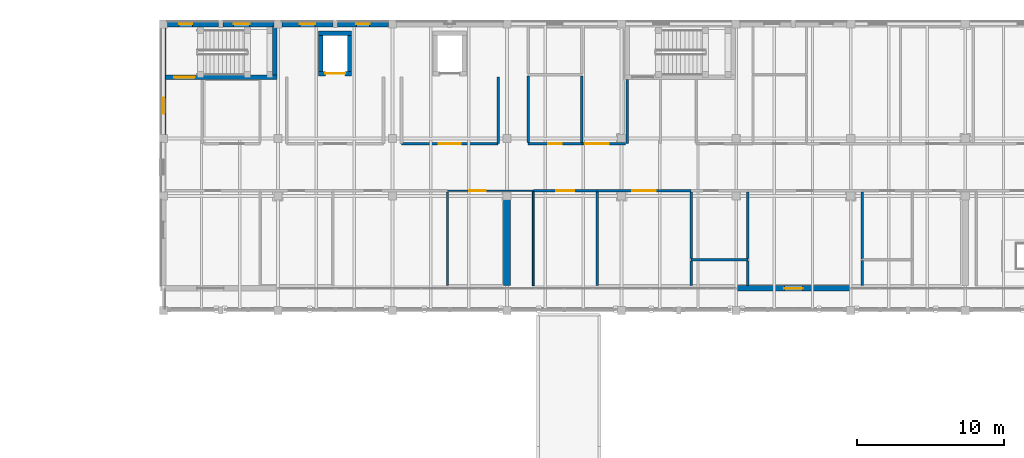
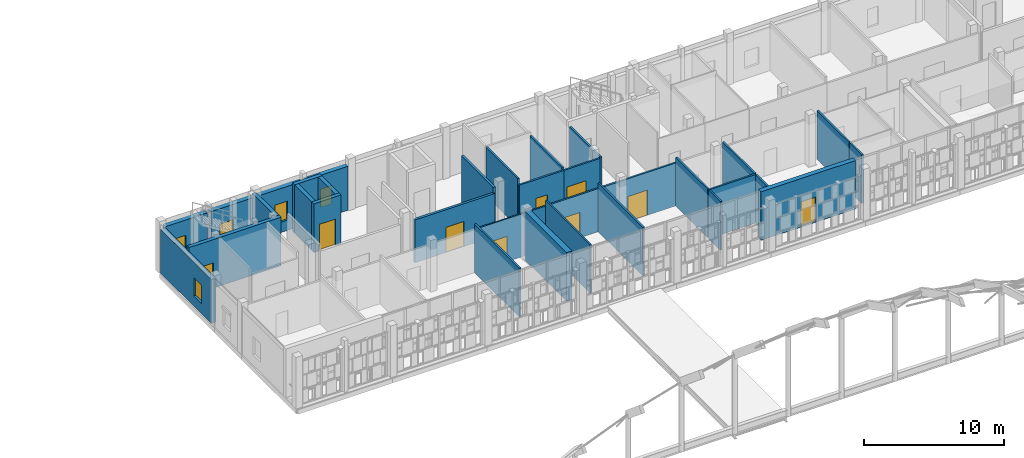
# One storey, part 97 of 119: 33 walls, 9 doors, 5 windows, 14 openings.
"""IFC4 building model written with IfcOpenShell, lengths in metres."""

from ifc_helpers import new_model, si_unit, direction, frame, frame_2d, origin, place, context, subcontext, project, spatial, rectangle, extrude, material, layer, layer_set, type_object, element, fill, save


model = new_model("IFC4")

# Units and contexts
model_context = context("Model", 3, precision=1e-05, world=origin(), true_north=direction((0.0, 1.0)))
body_context = subcontext(model_context, "Body", "Model", "MODEL_VIEW")
ifc_project = project(units=[si_unit("LENGTHUNIT", "METRE"), si_unit("AREAUNIT", "SQUARE_METRE"), si_unit("VOLUMEUNIT", "CUBIC_METRE"), si_unit("PLANEANGLEUNIT", "RADIAN"), si_unit("MASSUNIT", "GRAM", prefix="KILO")], contexts=[model_context])

# Site, building, storey
site_placement = place(None, origin())
site = spatial("IfcSite", under=ifc_project, at=site_placement, CompositionType="ELEMENT")
building_placement = place(site_placement, origin())
building = spatial("IfcBuilding", under=site, at=building_placement, Name="Celorna Specialist Clinic", CompositionType="ELEMENT")
storey_placement = place(building_placement, frame((0.0, 0.0, 9.60009765625)))
storey = spatial("IfcBuildingStorey", under=building, at=storey_placement, Name="L02", CompositionType="ELEMENT", Elevation=9.60009765625)

# Wall
ifc_material_1 = material(Name="Concrete C40/50", Category="concrete")
ifc_layer_1 = layer(ifc_material_1, 0.449951171875, Name="Concrete C40/50")
ifc_layer_set_1 = layer_set([ifc_layer_1], Name="Concrete C40/50")
wall_type_1 = type_object("IfcWallType", Name="WT-04", PredefinedType="SHEAR", material=ifc_layer_set_1)
wall_1_placement = place(storey_placement, frame((70.199951171875, 98.18994140625, 0.0), z_axis=(0.0, 0.0, 1.0), x_axis=(0.0, 1.0, 0.0)))
element("IfcWall", 1, at=wall_1_placement, inside=storey, type_object=wall_type_1, Name="Structural RC shear wall WT-04 V4 L02", PredefinedType="SHEAR", context=body_context, shape_type="SweptSolid", body=[
    extrude(rectangle(XDim=5.9599609375, YDim=0.449951171875, at=frame_2d((2.97998046875, 0.0))), origin(), (0.0, 0.0, 1.0), 4.239990234375),
])

# Wall, opening, door
ifc_material_2 = material(Name="Terracotta masonry with insulated cavity", Category="masonry")
ifc_layer_2 = layer(ifc_material_2, 0.3798828125, Name="Terracotta masonry with insulated cavity")
ifc_layer_set_2 = layer_set([ifc_layer_2], Name="Terracotta masonry with insulated cavity")
wall_type_2 = type_object("IfcWallType", Name="WT-06", PredefinedType="STANDARD", material=ifc_layer_set_2)
wall_2_placement = place(storey_placement, frame((93.60009765625, 98.0, 0.0), z_axis=(0.0, 0.0, 1.0), x_axis=(-1.0, 0.0, 0.0)))
wall_2 = element("IfcWall", 2, at=wall_2_placement, inside=storey, type_object=wall_type_2, Name="External facade wall WT-06 #231", PredefinedType="STANDARD", context=body_context, shape_type="SweptSolid", body=[
    extrude(rectangle(XDim=7.800048828125, YDim=0.3798828125, at=frame_2d((3.89990234375, 0.0))), origin(), (0.0, 0.0, 1.0), 4.239990234375),
])
opening_1_placement = place(wall_2_placement, frame((3.27490234375, 0.0, 0.0)))
opening_1 = element("IfcOpeningElement", 3, at=opening_1_placement, cuts=wall_2, Name="Opening DR-13", PredefinedType="OPENING", context=body_context, shape_type="SweptSolid", body=[
    extrude(rectangle(XDim=1.25, YDim=2.199951171875, at=frame_2d((0.625, 1.10009765625))), frame((0.0, 0.199951171875, 0.0), z_axis=(0.0, -1.0, 0.0), x_axis=(1.0, 0.0, 0.0)), (0.0, 0.0, 1.0), 0.39990234375),
])
ifc_material_3 = material(Name="Thermally broken glazed terrace door")
door_type_1 = type_object("IfcDoorType", Name="DR-13", OperationType="NOTDEFINED", PredefinedType="DOOR", material=ifc_material_3)
door_1_placement = place(opening_1_placement, frame((1.25, 0.0, 0.0), z_axis=(0.0, 0.0, 1.0), x_axis=(-1.0, 0.0, 0.0)))
door_1 = element("IfcDoor", 4, at=door_1_placement, inside=storey, type_object=door_type_1, Name="Terrace access door TER-V4-VER-L02", OperationType="SINGLE_SWING_LEFT", OverallHeight=2.199951171875, OverallWidth=1.25, PredefinedType="DOOR", context=body_context, shape_type="SweptSolid", body=[
    extrude(rectangle(XDim=1.25, YDim=2.199951171875, at=frame_2d((0.625, 1.10009765625))), frame((0.0, 0.02490234375, 0.0), z_axis=(0.0, -1.0, 0.0), x_axis=(1.0, 0.0, 0.0)), (0.0, 0.0, 1.0), 0.050048828125),
])
fill(opening_1, door_1)

# Wall, opening, window
wall_3_placement = place(storey_placement, frame((47.074951171875, 116.0, 0.0), z_axis=(0.0, 0.0, 1.0), x_axis=(1.0, 0.0, 0.0)))
wall_3 = element("IfcWall", 5, at=wall_3_placement, inside=storey, type_object=wall_type_2, Name="External facade wall WT-06 #233", PredefinedType="STANDARD", context=body_context, shape_type="SweptSolid", body=[
    extrude(rectangle(XDim=3.47509765625, YDim=0.3798828125, at=frame_2d((1.737548828125, 0.0))), origin(), (0.0, 0.0, 1.0), 3.83984375),
])
opening_2_placement = place(wall_3_placement, frame((0.802490234375, 0.0, 0.89990234375)))
opening_2 = element("IfcOpeningElement", 6, at=opening_2_placement, cuts=wall_3, Name="Opening WN-01", PredefinedType="OPENING", context=body_context, shape_type="SweptSolid", body=[
    extrude(rectangle(XDim=0.89990234375, YDim=1.60009765625, at=frame_2d((0.449951171875, 0.800048828125))), frame((0.0, 0.199951171875, 0.0), z_axis=(0.0, -1.0, 0.0), x_axis=(1.0, 0.0, 0.0)), (0.0, 0.0, 1.0), 0.39990234375),
])
ifc_material_4 = material(Name="Thermally broken aluminium triple-glazed window", Category="aluminium")
window_type_1 = type_object("IfcWindowType", Name="WN-01", PartitioningType="SINGLE_PANEL", PredefinedType="WINDOW", material=ifc_material_4)
window_1_placement = place(opening_2_placement, origin())
window_1 = element("IfcWindow", 7, at=window_1_placement, inside=storey, type_object=window_type_1, Name="Facade window WN-01 #114", OverallHeight=1.60009765625, OverallWidth=0.89990234375, PartitioningType="SINGLE_PANEL", PredefinedType="WINDOW", context=body_context, shape_type="SweptSolid", body=[
    extrude(rectangle(XDim=0.89990234375, YDim=1.60009765625, at=frame_2d((0.449951171875, 0.800048828125))), frame((0.0, 0.030029296875, 0.0), z_axis=(0.0, -1.0, 0.0), x_axis=(1.0, 0.0, 0.0)), (0.0, 0.0, 1.0), 0.06005859375),
])
fill(opening_2, window_1)

wall_4_placement = place(storey_placement, frame((50.85009765625, 116.0, 0.0), z_axis=(0.0, 0.0, 1.0), x_axis=(1.0, 0.0, 0.0)))
wall_4 = element("IfcWall", 8, at=wall_4_placement, inside=storey, type_object=wall_type_2, Name="External facade wall WT-06 #234", PredefinedType="STANDARD", context=body_context, shape_type="SweptSolid", body=[
    extrude(rectangle(XDim=3.474853515625, YDim=0.3798828125, at=frame_2d((1.7373046875, 0.0))), origin(), (0.0, 0.0, 1.0), 3.83984375),
])
opening_3_placement = place(wall_4_placement, frame((0.72998046875, 0.0, 0.89990234375)))
opening_3 = element("IfcOpeningElement", 9, at=opening_3_placement, cuts=wall_4, Name="Opening WN-03", PredefinedType="OPENING", context=body_context, shape_type="SweptSolid", body=[
    extrude(rectangle(XDim=1.10009765625, YDim=1.60009765625, at=frame_2d((0.550048828125, 0.800048828125))), frame((0.0, 0.199951171875, 0.0), z_axis=(0.0, -1.0, 0.0), x_axis=(1.0, 0.0, 0.0)), (0.0, 0.0, 1.0), 0.39990234375),
])
window_type_2 = type_object("IfcWindowType", Name="WN-03", PartitioningType="SINGLE_PANEL", PredefinedType="WINDOW", material=ifc_material_4)
window_2_placement = place(opening_3_placement, origin())
window_2 = element("IfcWindow", 10, at=window_2_placement, inside=storey, type_object=window_type_2, Name="Facade window WN-03 #115", OverallHeight=1.60009765625, OverallWidth=1.10009765625, PartitioningType="SINGLE_PANEL", PredefinedType="WINDOW", context=body_context, shape_type="SweptSolid", body=[
    extrude(rectangle(XDim=1.10009765625, YDim=1.60009765625, at=frame_2d((0.550048828125, 0.800048828125))), frame((0.0, 0.030029296875, 0.0), z_axis=(0.0, -1.0, 0.0), x_axis=(1.0, 0.0, 0.0)), (0.0, 0.0, 1.0), 0.06005859375),
])
fill(opening_3, window_2)

wall_5_placement = place(storey_placement, frame((54.875, 116.0, 0.0), z_axis=(0.0, 0.0, 1.0), x_axis=(1.0, 0.0, 0.0)))
wall_5 = element("IfcWall", 11, at=wall_5_placement, inside=storey, type_object=wall_type_2, Name="External facade wall WT-06 #235", PredefinedType="STANDARD", context=body_context, shape_type="SweptSolid", body=[
    extrude(rectangle(XDim=3.47509765625, YDim=0.3798828125, at=frame_2d((1.737548828125, 0.0))), origin(), (0.0, 0.0, 1.0), 3.83984375),
])
opening_4_placement = place(wall_5_placement, frame((1.21240234375, 0.0, 0.89990234375)))
opening_4 = element("IfcOpeningElement", 12, at=opening_4_placement, cuts=wall_5, Name="Opening WN-21", PredefinedType="OPENING", context=body_context, shape_type="SweptSolid", body=[
    extrude(rectangle(XDim=1.050048828125, YDim=1.64990234375, at=frame_2d((0.52490234375, 0.824951171875))), frame((0.0, 0.199951171875, 0.0), z_axis=(0.0, -1.0, 0.0), x_axis=(1.0, 0.0, 0.0)), (0.0, 0.0, 1.0), 0.39990234375),
])
window_type_3 = type_object("IfcWindowType", Name="WN-21", PartitioningType="SINGLE_PANEL", PredefinedType="WINDOW", material=ifc_material_4)
window_3_placement = place(opening_4_placement, origin())
window_3 = element("IfcWindow", 13, at=window_3_placement, inside=storey, type_object=window_type_3, Name="Facade window WN-21 #116", OverallHeight=1.64990234375, OverallWidth=1.050048828125, PartitioningType="SINGLE_PANEL", PredefinedType="WINDOW", context=body_context, shape_type="SweptSolid", body=[
    extrude(rectangle(XDim=1.050048828125, YDim=1.64990234375, at=frame_2d((0.52490234375, 0.824951171875))), frame((0.0, 0.030029296875, 0.0), z_axis=(0.0, -1.0, 0.0), x_axis=(1.0, 0.0, 0.0)), (0.0, 0.0, 1.0), 0.06005859375),
])
fill(opening_4, window_3)

wall_6_placement = place(storey_placement, frame((58.64990234375, 116.0, 0.0), z_axis=(0.0, 0.0, 1.0), x_axis=(1.0, 0.0, 0.0)))
wall_6 = element("IfcWall", 14, at=wall_6_placement, inside=storey, type_object=wall_type_2, Name="External facade wall WT-06 #236", PredefinedType="STANDARD", context=body_context, shape_type="SweptSolid", body=[
    extrude(rectangle(XDim=3.47509765625, YDim=0.3798828125, at=frame_2d((1.737548828125, 0.0))), origin(), (0.0, 0.0, 1.0), 3.83984375),
])
opening_5_placement = place(wall_6_placement, frame((1.28759765625, 0.0, 0.89990234375)))
opening_5 = element("IfcOpeningElement", 15, at=opening_5_placement, cuts=wall_6, Name="Opening WN-01", PredefinedType="OPENING", context=body_context, shape_type="SweptSolid", body=[
    extrude(rectangle(XDim=0.89990234375, YDim=1.60009765625, at=frame_2d((0.449951171875, 0.800048828125))), frame((0.0, 0.199951171875, 0.0), z_axis=(0.0, -1.0, 0.0), x_axis=(1.0, 0.0, 0.0)), (0.0, 0.0, 1.0), 0.39990234375),
])
window_4_placement = place(opening_5_placement, origin())
window_4 = element("IfcWindow", 16, at=window_4_placement, inside=storey, type_object=window_type_1, Name="Facade window WN-01 #117", OverallHeight=1.60009765625, OverallWidth=0.89990234375, PartitioningType="SINGLE_PANEL", PredefinedType="WINDOW", context=body_context, shape_type="SweptSolid", body=[
    extrude(rectangle(XDim=0.89990234375, YDim=1.60009765625, at=frame_2d((0.449951171875, 0.800048828125))), frame((0.0, 0.030029296875, 0.0), z_axis=(0.0, -1.0, 0.0), x_axis=(1.0, 0.0, 0.0)), (0.0, 0.0, 1.0), 0.06005859375),
])
fill(opening_5, window_4)

wall_7_placement = place(storey_placement, frame((46.800048828125, 108.47509765625, 0.0), z_axis=(0.0, 0.0, 1.0), x_axis=(0.0, 1.0, 0.0)))
wall_7 = element("IfcWall", 17, at=wall_7_placement, inside=storey, type_object=wall_type_2, Name="External facade wall WT-06 #250", PredefinedType="STANDARD", context=body_context, shape_type="SweptSolid", body=[
    extrude(rectangle(XDim=7.25, YDim=0.3798828125, at=frame_2d((3.625, 0.0))), origin(), (0.0, 0.0, 1.0), 3.83984375),
])
opening_6_placement = place(wall_7_placement, frame((1.407470703125, 0.0, 0.89990234375)))
opening_6 = element("IfcOpeningElement", 18, at=opening_6_placement, cuts=wall_7, Name="Opening WN-03", PredefinedType="OPENING", context=body_context, shape_type="SweptSolid", body=[
    extrude(rectangle(XDim=1.10009765625, YDim=1.60009765625, at=frame_2d((0.550048828125, 0.800048828125))), frame((0.0, 0.199951171875, 0.0), z_axis=(0.0, -1.0, 0.0), x_axis=(1.0, 0.0, 0.0)), (0.0, 0.0, 1.0), 0.39990234375),
])
window_5_placement = place(opening_6_placement, origin())
window_5 = element("IfcWindow", 19, at=window_5_placement, inside=storey, type_object=window_type_2, Name="Facade window WN-03 #129", OverallHeight=1.60009765625, OverallWidth=1.10009765625, PartitioningType="SINGLE_PANEL", PredefinedType="WINDOW", context=body_context, shape_type="SweptSolid", body=[
    extrude(rectangle(XDim=1.10009765625, YDim=1.60009765625, at=frame_2d((0.550048828125, 0.800048828125))), frame((0.0, 0.030029296875, 0.0), z_axis=(0.0, -1.0, 0.0), x_axis=(1.0, 0.0, 0.0)), (0.0, 0.0, 1.0), 0.06005859375),
])
fill(opening_6, window_5)

# Wall, opening, door
ifc_material_5 = material(Name="Concrete C35/45", Category="concrete")
ifc_layer_3 = layer(ifc_material_5, 0.300048828125, Name="Concrete C35/45")
ifc_layer_set_3 = layer_set([ifc_layer_3], Name="Concrete C35/45")
wall_type_3 = type_object("IfcWallType", Name="WT-08", PredefinedType="SHEAR", material=ifc_layer_set_3)
wall_8_placement = place(storey_placement, frame((46.949951171875, 112.3701171875, 0.0), z_axis=(0.0, 0.0, 1.0), x_axis=(1.0, 0.0, 0.0)))
wall_8 = element("IfcWall", 20, at=wall_8_placement, inside=storey, type_object=wall_type_3, Name="Stair ST-01 RC core wall L02 south", PredefinedType="SHEAR", context=body_context, shape_type="SweptSolid", body=[
    extrude(rectangle(XDim=7.590087890625, YDim=0.300048828125, at=frame_2d((3.794921875, 0.0))), origin(), (0.0, 0.0, 1.0), 4.239990234375),
])
opening_7_placement = place(wall_8_placement, frame((0.590087890625, 0.0, 0.0)))
opening_7 = element("IfcOpeningElement", 21, at=opening_7_placement, cuts=wall_8, Name="Opening DR-10", PredefinedType="OPENING", context=body_context, shape_type="SweptSolid", body=[
    extrude(rectangle(XDim=1.39990234375, YDim=2.199951171875, at=frame_2d((0.699951171875, 1.10009765625))), frame((0.0, 0.159912109375, 0.0), z_axis=(0.0, -1.0, 0.0), x_axis=(1.0, 0.0, 0.0)), (0.0, 0.0, 1.0), 0.320068359375),
])
ifc_material_6 = material(Name="Protected exit stair fire door")
door_type_2 = type_object("IfcDoorType", Name="DR-10", OperationType="NOTDEFINED", PredefinedType="DOOR", material=ifc_material_6)
door_2_placement = place(opening_7_placement, origin())
door_2 = element("IfcDoor", 22, at=door_2_placement, inside=storey, type_object=door_type_2, Name="Protected exit stair door ST-01 L02", OperationType="SINGLE_SWING_LEFT", OverallHeight=2.199951171875, OverallWidth=1.39990234375, PredefinedType="DOOR", context=body_context, shape_type="SweptSolid", body=[
    extrude(rectangle(XDim=1.39990234375, YDim=2.199951171875, at=frame_2d((0.699951171875, 1.10009765625))), frame((0.0, 0.02490234375, 0.0), z_axis=(0.0, -1.0, 0.0), x_axis=(1.0, 0.0, 0.0)), (0.0, 0.0, 1.0), 0.050048828125),
])
fill(opening_7, door_2)

# Wall
wall_9_placement = place(storey_placement, frame((54.389892578125, 112.52001953125, 0.0), z_axis=(0.0, 0.0, 1.0), x_axis=(0.0, 1.0, 0.0)))
element("IfcWall", 23, at=wall_9_placement, inside=storey, type_object=wall_type_3, Name="Stair ST-01 RC core wall L02 east", PredefinedType="SHEAR", context=body_context, shape_type="SweptSolid", body=[
    extrude(rectangle(XDim=3.330078125, YDim=0.300048828125, at=frame_2d((1.6650390625, 0.0))), origin(), (0.0, 0.0, 1.0), 4.239990234375),
])

# Wall, opening, door
wall_10_placement = place(storey_placement, frame((57.375, 112.625, 0.0), z_axis=(0.0, 0.0, 1.0), x_axis=(1.0, 0.0, 0.0)))
wall_10 = element("IfcWall", 24, at=wall_10_placement, inside=storey, type_object=wall_type_3, Name="Lift LF-01 RC shaft wall L02", PredefinedType="SHEAR", context=body_context, shape_type="SweptSolid", body=[
    extrude(rectangle(XDim=2.25, YDim=0.300048828125, at=frame_2d((1.125, 0.0))), origin(), (0.0, 0.0, 1.0), 4.239990234375),
])
opening_8_placement = place(wall_10_placement, frame((0.449951171875, 0.0, 0.0)))
opening_8 = element("IfcOpeningElement", 25, at=opening_8_placement, cuts=wall_10, Name="Opening LD-02", PredefinedType="OPENING", context=body_context, shape_type="SweptSolid", body=[
    extrude(rectangle(XDim=1.35009765625, YDim=2.300048828125, at=frame_2d((0.675048828125, 1.14990234375))), frame((0.0, 0.159912109375, 0.0), z_axis=(0.0, -1.0, 0.0), x_axis=(1.0, 0.0, 0.0)), (0.0, 0.0, 1.0), 0.320068359375),
])
ifc_material_7 = material(Name="Firefighting stretcher lift landing sliding door")
door_type_3 = type_object("IfcDoorType", Name="LD-02", OperationType="DOUBLE_DOOR_SLIDING", PredefinedType="DOOR", material=ifc_material_7)
door_3_placement = place(opening_8_placement, origin())
door_3 = element("IfcDoor", 26, at=door_3_placement, inside=storey, type_object=door_type_3, Name="Lift LF-01 sliding landing door L02", OperationType="DOUBLE_DOOR_SLIDING", OverallHeight=2.300048828125, OverallWidth=1.35009765625, PredefinedType="DOOR", context=body_context, shape_type="SweptSolid", body=[
    extrude(rectangle(XDim=1.35009765625, YDim=2.300048828125, at=frame_2d((0.675048828125, 1.14990234375))), frame((0.0, 0.02490234375, 0.0), z_axis=(0.0, -1.0, 0.0), x_axis=(1.0, 0.0, 0.0)), (0.0, 0.0, 1.0), 0.050048828125),
])
fill(opening_8, door_3)

# Walls
wall_11_placement = place(storey_placement, frame((59.625, 115.375, 0.0), z_axis=(0.0, 0.0, 1.0), x_axis=(-1.0, 0.0, 0.0)))
element("IfcWall", 27, at=wall_11_placement, inside=storey, type_object=wall_type_3, Name="Lift LF-01 RC shaft wall L02", PredefinedType="SHEAR", context=body_context, shape_type="SweptSolid", body=[
    extrude(rectangle(XDim=2.25, YDim=0.300048828125, at=frame_2d((1.125, 0.0))), origin(), (0.0, 0.0, 1.0), 4.239990234375),
])
for number, where, z_axis, x_axis, name in (
    (28, (57.52490234375, 115.22509765625, 0.0), (0.0, 0.0, 1.0), (0.0, -1.0, 0.0), "Lift LF-01 RC shaft wall L02"),
    (29, (59.47509765625, 112.77490234375, 0.0), (0.0, 0.0, 1.0), (0.0, 1.0, 0.0), "Lift LF-01 RC shaft wall L02"),
):
    element("IfcWall", number, at=place(storey_placement, frame(where, z_axis=z_axis, x_axis=x_axis)), inside=storey, type_object=wall_type_3, Name=name, PredefinedType="SHEAR", context=body_context, shape_type="SweptSolid", body=[
        extrude(rectangle(XDim=2.4501953125, YDim=0.300048828125, at=frame_2d((1.22509765625, 0.0))), origin(), (0.0, 0.0, 1.0), 4.239990234375),
    ])

# Wall, opening, door
ifc_layer_4 = layer(ifc_material_5, 0.199951171875, Name="Concrete C35/45")
ifc_layer_set_4 = layer_set([ifc_layer_4], Name="Concrete C35/45")
wall_type_4 = type_object("IfcWallType", Name="WT-12", PredefinedType="SOLIDWALL", material=ifc_layer_set_4)
wall_12_placement = place(storey_placement, frame((63.0, 107.85009765625, 0.0), z_axis=(0.0, 0.0, 1.0), x_axis=(1.0, 0.0, 0.0)))
wall_12 = element("IfcWall", 30, at=wall_12_placement, inside=storey, type_object=wall_type_4, Name="Firefighting lobby wall LF-02 L02", PredefinedType="SOLIDWALL", context=body_context, shape_type="SweptSolid", body=[
    extrude(rectangle(XDim=6.60009765625, YDim=0.199951171875, at=frame_2d((3.300048828125, 0.0))), origin(), (0.0, 0.0, 1.0), 3.739990234375),
])
opening_9_placement = place(wall_12_placement, frame((2.550048828125, 0.0, 0.0)))
opening_9 = element("IfcOpeningElement", 31, at=opening_9_placement, cuts=wall_12, Name="Opening DR-11", PredefinedType="OPENING", context=body_context, shape_type="SweptSolid", body=[
    extrude(rectangle(XDim=1.5, YDim=2.199951171875, at=frame_2d((0.75, 1.10009765625))), frame((0.0, 0.10986328125, 0.0), z_axis=(0.0, -1.0, 0.0), x_axis=(1.0, 0.0, 0.0)), (0.0, 0.0, 1.0), 0.219970703125),
])
ifc_material_8 = material(Name="Firefighting lobby double fire door")
door_type_4 = type_object("IfcDoorType", Name="DR-11", OperationType="DOUBLE_DOOR_SINGLE_SWING", PredefinedType="DOOR", material=ifc_material_8)
door_4_placement = place(opening_9_placement, origin())
door_4 = element("IfcDoor", 32, at=door_4_placement, inside=storey, type_object=door_type_4, Name="Firefighting lobby fire door LF-02 L02", OperationType="DOUBLE_DOOR_SINGLE_SWING", OverallHeight=2.199951171875, OverallWidth=1.5, PredefinedType="DOOR", context=body_context, shape_type="SweptSolid", body=[
    extrude(rectangle(XDim=1.5, YDim=2.199951171875, at=frame_2d((0.75, 1.10009765625))), frame((0.0, 0.02490234375, 0.0), z_axis=(0.0, -1.0, 0.0), x_axis=(1.0, 0.0, 0.0)), (0.0, 0.0, 1.0), 0.050048828125),
])
fill(opening_9, door_4)

# Walls
wall_13_placement = place(storey_placement, frame((69.60009765625, 107.85009765625, 0.0), z_axis=(0.0, 0.0, 1.0), x_axis=(0.0, 1.0, 0.0)))
element("IfcWall", 33, at=wall_13_placement, inside=storey, type_object=wall_type_4, Name="Firefighting lobby wall LF-02 L02", PredefinedType="SOLIDWALL", context=body_context, shape_type="SweptSolid", body=[
    extrude(rectangle(XDim=4.5498046875, YDim=0.199951171875, at=frame_2d((2.27490234375, 0.0))), origin(), (0.0, 0.0, 1.0), 4.239990234375),
])
ifc_material_9 = material(Name="Fire-rated gypsum board partition")
ifc_layer_5 = layer(ifc_material_9, 0.14990234375, Name="Fire-rated gypsum board partition")
ifc_layer_set_5 = layer_set([ifc_layer_5], Name="Fire-rated gypsum board partition")
wall_type_5 = type_object("IfcWallType", Name="WT-14", PredefinedType="PARTITIONING", material=ifc_layer_set_5)
wall_14_placement = place(storey_placement, frame((78.389892578125, 107.85009765625, 0.0), z_axis=(0.0, 0.0, 1.0), x_axis=(0.0, 1.0, 0.0)))
element("IfcWall", 34, at=wall_14_placement, inside=storey, type_object=wall_type_5, Name="Corridor spur partition WT-14", PredefinedType="PARTITIONING", context=body_context, shape_type="SweptSolid", body=[
    extrude(rectangle(XDim=4.369873046875, YDim=0.14990234375, at=frame_2d((2.18505859375, 0.0))), origin(), (0.0, 0.0, 1.0), 3.789794921875),
])

# Wall, opening, door
wall_15_placement = place(storey_placement, frame((76.340087890625, 104.64990234375, 0.0), z_axis=(0.0, 0.0, 1.0), x_axis=(-1.0, 0.0, 0.0)))
wall_15 = element("IfcWall", 35, at=wall_15_placement, inside=storey, type_object=wall_type_5, Name="Interior partition WT-14 L02-030", PredefinedType="PARTITIONING", context=body_context, shape_type="SweptSolid", body=[
    extrude(rectangle(XDim=4.35009765625, YDim=0.14990234375, at=frame_2d((2.175048828125, 0.0))), origin(), (0.0, 0.0, 1.0), 3.739990234375),
])
opening_10_placement = place(wall_15_placement, frame((1.574951171875, 0.0, 0.0)))
opening_10 = element("IfcOpeningElement", 36, at=opening_10_placement, cuts=wall_15, Name="Opening DR-08", PredefinedType="OPENING", context=body_context, shape_type="SweptSolid", body=[
    extrude(rectangle(XDim=1.199951171875, YDim=2.199951171875, at=frame_2d((0.60009765625, 1.10009765625))), frame((0.0, 0.0849609375, 0.0), z_axis=(0.0, -1.0, 0.0), x_axis=(1.0, 0.0, 0.0)), (0.0, 0.0, 1.0), 0.169921875),
])
ifc_material_10 = material(Name="Stretcher-width clinical door")
door_type_5 = type_object("IfcDoorType", Name="DR-08", OperationType="NOTDEFINED", PredefinedType="DOOR", material=ifc_material_10)
door_5_placement = place(opening_10_placement, origin())
door_5 = element("IfcDoor", 37, at=door_5_placement, inside=storey, type_object=door_type_5, Name="Endocrinology Specialist Clinic door L02-030", OperationType="SINGLE_SWING_LEFT", OverallHeight=2.199951171875, OverallWidth=1.199951171875, PredefinedType="DOOR", context=body_context, shape_type="SweptSolid", body=[
    extrude(rectangle(XDim=1.199951171875, YDim=2.199951171875, at=frame_2d((0.60009765625, 1.10009765625))), frame((0.0, 0.02490234375, 0.0), z_axis=(0.0, -1.0, 0.0), x_axis=(1.0, 0.0, 0.0)), (0.0, 0.0, 1.0), 0.050048828125),
])
fill(opening_10, door_5)

wall_16_placement = place(storey_placement, frame((82.739990234375, 104.64990234375, 0.0), z_axis=(0.0, 0.0, 1.0), x_axis=(-1.0, 0.0, 0.0)))
wall_16 = element("IfcWall", 38, at=wall_16_placement, inside=storey, type_object=wall_type_5, Name="Interior partition WT-14 L02-031", PredefinedType="PARTITIONING", context=body_context, shape_type="SweptSolid", body=[
    extrude(rectangle(XDim=6.39990234375, YDim=0.14990234375, at=frame_2d((3.199951171875, 0.0))), origin(), (0.0, 0.0, 1.0), 3.739990234375),
])
opening_11_placement = place(wall_16_placement, frame((2.39990234375, 0.0, 0.0)))
opening_11 = element("IfcOpeningElement", 39, at=opening_11_placement, cuts=wall_16, Name="Opening DR-12", PredefinedType="OPENING", context=body_context, shape_type="SweptSolid", body=[
    extrude(rectangle(XDim=1.60009765625, YDim=2.199951171875, at=frame_2d((0.800048828125, 1.10009765625))), frame((0.0, 0.0849609375, 0.0), z_axis=(0.0, -1.0, 0.0), x_axis=(1.0, 0.0, 0.0)), (0.0, 0.0, 1.0), 0.169921875),
])
ifc_material_11 = material(Name="Corridor cross-compartment pair door")
door_type_6 = type_object("IfcDoorType", Name="DR-12", OperationType="DOUBLE_DOOR_SINGLE_SWING", PredefinedType="DOOR", material=ifc_material_11)
door_6_placement = place(opening_11_placement, origin())
door_6 = element("IfcDoor", 40, at=door_6_placement, inside=storey, type_object=door_type_6, Name="Outpatient Waiting Lounge door L02-031", OperationType="DOUBLE_DOOR_SINGLE_SWING", OverallHeight=2.199951171875, OverallWidth=1.60009765625, PredefinedType="DOOR", context=body_context, shape_type="SweptSolid", body=[
    extrude(rectangle(XDim=1.60009765625, YDim=2.199951171875, at=frame_2d((0.800048828125, 1.10009765625))), frame((0.0, 0.02490234375, 0.0), z_axis=(0.0, -1.0, 0.0), x_axis=(1.0, 0.0, 0.0)), (0.0, 0.0, 1.0), 0.050048828125),
])
fill(opening_11, door_6)

# Wall
wall_17_placement = place(storey_placement, frame((82.739990234375, 99.949951171875, 0.0), z_axis=(0.0, 0.0, 1.0), x_axis=(1.0, 0.0, 0.0)))
element("IfcWall", 41, at=wall_17_placement, inside=storey, type_object=wall_type_5, Name="Sanitary suite rear partition L02-032", PredefinedType="PARTITIONING", context=body_context, shape_type="SweptSolid", body=[
    extrude(rectangle(XDim=3.85009765625, YDim=0.14990234375, at=frame_2d((1.925048828125, 0.0))), origin(), (0.0, 0.0, 1.0), 4.239990234375),
])

# Wall, opening, door
wall_18_placement = place(storey_placement, frame((71.639892578125, 107.85009765625, 0.0), z_axis=(0.0, 0.0, 1.0), x_axis=(1.0, 0.0, 0.0)))
wall_18 = element("IfcWall", 42, at=wall_18_placement, inside=storey, type_object=wall_type_5, Name="Interior partition WT-14 L02-042", PredefinedType="PARTITIONING", context=body_context, shape_type="SweptSolid", body=[
    extrude(rectangle(XDim=3.650146484375, YDim=0.14990234375, at=frame_2d((1.8251953125, 0.0))), origin(), (0.0, 0.0, 1.0), 3.739990234375),
])
opening_12_placement = place(wall_18_placement, frame((1.35009765625, 0.0, 0.0)))
opening_12 = element("IfcOpeningElement", 43, at=opening_12_placement, cuts=wall_18, Name="Opening DR-03", PredefinedType="OPENING", context=body_context, shape_type="SweptSolid", body=[
    extrude(rectangle(XDim=0.949951171875, YDim=2.10009765625, at=frame_2d((0.47509765625, 1.050048828125))), frame((0.0, 0.0849609375, 0.0), z_axis=(0.0, -1.0, 0.0), x_axis=(1.0, 0.0, 0.0)), (0.0, 0.0, 1.0), 0.169921875),
])
ifc_material_12 = material(Name="Moisture-resistant accessible WC door")
door_type_7 = type_object("IfcDoorType", Name="DR-03", OperationType="NOTDEFINED", PredefinedType="DOOR", material=ifc_material_12)
door_7_placement = place(opening_12_placement, origin())
door_7 = element("IfcDoor", 44, at=door_7_placement, inside=storey, type_object=door_type_7, Name="Accessible WC door L02-042", OperationType="SINGLE_SWING_LEFT", OverallHeight=2.10009765625, OverallWidth=0.949951171875, PredefinedType="DOOR", context=body_context, shape_type="SweptSolid", body=[
    extrude(rectangle(XDim=0.949951171875, YDim=2.10009765625, at=frame_2d((0.47509765625, 1.050048828125))), frame((0.0, 0.02490234375, 0.0), z_axis=(0.0, -1.0, 0.0), x_axis=(1.0, 0.0, 0.0)), (0.0, 0.0, 1.0), 0.050048828125),
])
fill(opening_12, door_7)

wall_19_placement = place(storey_placement, frame((75.2900390625, 107.85009765625, 0.0), z_axis=(0.0, 0.0, 1.0), x_axis=(1.0, 0.0, 0.0)))
wall_19 = element("IfcWall", 45, at=wall_19_placement, inside=storey, type_object=wall_type_5, Name="Interior partition WT-14 L02-043", PredefinedType="PARTITIONING", context=body_context, shape_type="SweptSolid", body=[
    extrude(rectangle(XDim=2.97998046875, YDim=0.14990234375, at=frame_2d((1.489990234375, 0.0))), origin(), (0.0, 0.0, 1.0), 3.739990234375),
])
opening_13_placement = place(wall_19_placement, frame((0.242919921875, 0.0, 0.0)))
opening_13 = element("IfcOpeningElement", 46, at=opening_13_placement, cuts=wall_19, Name="Opening DR-12", PredefinedType="OPENING", context=body_context, shape_type="SweptSolid", body=[
    extrude(rectangle(XDim=1.60009765625, YDim=2.199951171875, at=frame_2d((0.800048828125, 1.10009765625))), frame((0.0, 0.0849609375, 0.0), z_axis=(0.0, -1.0, 0.0), x_axis=(1.0, 0.0, 0.0)), (0.0, 0.0, 1.0), 0.169921875),
])
door_8_placement = place(opening_13_placement, origin())
door_8 = element("IfcDoor", 47, at=door_8_placement, inside=storey, type_object=door_type_6, Name="Outpatient Waiting Lounge door L02-043", OperationType="DOUBLE_DOOR_SINGLE_SWING", OverallHeight=2.199951171875, OverallWidth=1.60009765625, PredefinedType="DOOR", context=body_context, shape_type="SweptSolid", body=[
    extrude(rectangle(XDim=1.60009765625, YDim=2.199951171875, at=frame_2d((0.800048828125, 1.10009765625))), frame((0.0, 0.02490234375, 0.0), z_axis=(0.0, -1.0, 0.0), x_axis=(1.0, 0.0, 0.0)), (0.0, 0.0, 1.0), 0.050048828125),
])
fill(opening_13, door_8)

# Walls
for number, where, z_axis, x_axis, name in (
    (48, (66.139892578125, 98.18994140625, 0.0), (0.0, 0.0, 1.0), (0.0, 1.0, 0.0), "Room dividing partition WT-14 L02-028"),
    (49, (76.340087890625, 98.18994140625, 0.0), (0.0, 0.0, 1.0), (0.0, 1.0, 0.0), "Room dividing partition WT-14 L02-030"),
):
    element("IfcWall", number, at=place(storey_placement, frame(where, z_axis=z_axis, x_axis=x_axis)), inside=storey, type_object=wall_type_5, Name=name, PredefinedType="PARTITIONING", context=body_context, shape_type="SweptSolid", body=[
        extrude(rectangle(XDim=6.385009765625, YDim=0.14990234375, at=frame_2d((3.1923828125, 0.0))), origin(), (0.0, 0.0, 1.0), 4.239990234375),
    ])
wall_20_placement = place(storey_placement, frame((82.739990234375, 98.18994140625, 0.0), z_axis=(0.0, 0.0, 1.0), x_axis=(0.0, 1.0, 0.0)))
element("IfcWall", 50, at=wall_20_placement, inside=storey, type_object=wall_type_5, Name="Room dividing partition WT-14 L02-031", PredefinedType="PARTITIONING", context=body_context, shape_type="SweptSolid", body=[
    extrude(rectangle(XDim=1.68505859375, YDim=0.14990234375, at=frame_2d((0.842529296875, 0.0))), origin(), (0.0, 0.0, 1.0), 4.239990234375),
])
for number, where, z_axis, x_axis, name in (
    (51, (82.739990234375, 100.02490234375, 0.0), (0.0, 0.0, 1.0), (0.0, 1.0, 0.0), "Room dividing partition WT-14 L02-031"),
    (52, (86.590087890625, 100.02490234375, 0.0), (0.0, 0.0, 1.0), (0.0, 1.0, 0.0), "Room dividing partition WT-14 L02-032"),
):
    element("IfcWall", number, at=place(storey_placement, frame(where, z_axis=z_axis, x_axis=x_axis)), inside=storey, type_object=wall_type_5, Name=name, PredefinedType="PARTITIONING", context=body_context, shape_type="SweptSolid", body=[
        extrude(rectangle(XDim=4.550048828125, YDim=0.14990234375, at=frame_2d((2.27490234375, 0.0))), origin(), (0.0, 0.0, 1.0), 4.239990234375),
    ])
wall_21_placement = place(storey_placement, frame((86.590087890625, 98.18994140625, 0.0), z_axis=(0.0, 0.0, 1.0), x_axis=(0.0, 1.0, 0.0)))
element("IfcWall", 53, at=wall_21_placement, inside=storey, type_object=wall_type_5, Name="Room dividing partition WT-14 L02-033", PredefinedType="PARTITIONING", context=body_context, shape_type="SweptSolid", body=[
    extrude(rectangle(XDim=1.68505859375, YDim=0.14990234375, at=frame_2d((0.842529296875, 0.0))), origin(), (0.0, 0.0, 1.0), 4.239990234375),
])
wall_22_placement = place(storey_placement, frame((94.389892578125, 98.18994140625, 0.0), z_axis=(0.0, 0.0, 1.0), x_axis=(0.0, 1.0, 0.0)))
element("IfcWall", 54, at=wall_22_placement, inside=storey, type_object=wall_type_5, Name="Room dividing partition WT-14 L02-033", PredefinedType="PARTITIONING", context=body_context, shape_type="SweptSolid", body=[
    extrude(rectangle(XDim=1.699951171875, YDim=0.14990234375, at=frame_2d((0.85009765625, 0.0))), origin(), (0.0, 0.0, 1.0), 4.239990234375),
])
wall_23_placement = place(storey_placement, frame((94.389892578125, 100.010009765625, 0.0), z_axis=(0.0, 0.0, 1.0), x_axis=(0.0, 1.0, 0.0)))
element("IfcWall", 55, at=wall_23_placement, inside=storey, type_object=wall_type_5, Name="Room dividing partition WT-14 L02-033", PredefinedType="PARTITIONING", context=body_context, shape_type="SweptSolid", body=[
    extrude(rectangle(XDim=4.56494140625, YDim=0.14990234375, at=frame_2d((2.282470703125, 0.0))), origin(), (0.0, 0.0, 1.0), 4.239990234375),
])
wall_24_placement = place(storey_placement, frame((71.639892578125, 107.925048828125, 0.0), z_axis=(0.0, 0.0, 1.0), x_axis=(0.0, 1.0, 0.0)))
element("IfcWall", 56, at=wall_24_placement, inside=storey, type_object=wall_type_5, Name="Room dividing partition WT-14 L02-042", PredefinedType="PARTITIONING", context=body_context, shape_type="SweptSolid", body=[
    extrude(rectangle(XDim=4.550048828125, YDim=0.14990234375, at=frame_2d((2.27490234375, 0.0))), origin(), (0.0, 0.0, 1.0), 4.239990234375),
])
wall_25_placement = place(storey_placement, frame((75.2900390625, 107.925048828125, 0.0), z_axis=(0.0, 0.0, 1.0), x_axis=(0.0, 1.0, 0.0)))
element("IfcWall", 57, at=wall_25_placement, inside=storey, type_object=wall_type_5, Name="Room dividing partition WT-14 L02-042", PredefinedType="PARTITIONING", context=body_context, shape_type="SweptSolid", body=[
    extrude(rectangle(XDim=4.550048828125, YDim=0.14990234375, at=frame_2d((2.27490234375, 0.0))), origin(), (0.0, 0.0, 1.0), 3.93994140625),
])

# Wall, opening, door
ifc_material_13 = material(Name="Acoustic gypsum board partition")
ifc_layer_6 = layer(ifc_material_13, 0.1201171875, Name="Acoustic gypsum board partition")
ifc_layer_set_6 = layer_set([ifc_layer_6], Name="Acoustic gypsum board partition")
wall_type_6 = type_object("IfcWallType", Name="WT-15", PredefinedType="PARTITIONING", material=ifc_layer_set_6)
wall_26_placement = place(storey_placement, frame((71.989990234375, 104.64990234375, 0.0), z_axis=(0.0, 0.0, 1.0), x_axis=(-1.0, 0.0, 0.0)))
wall_26 = element("IfcWall", 58, at=wall_26_placement, inside=storey, type_object=wall_type_6, Name="Interior partition WT-15 L02-029", PredefinedType="PARTITIONING", context=body_context, shape_type="SweptSolid", body=[
    extrude(rectangle(XDim=5.85009765625, YDim=0.1201171875, at=frame_2d((2.925048828125, 0.0))), origin(), (0.0, 0.0, 1.0), 3.739990234375),
])
opening_14_placement = place(wall_26_placement, frame((3.2275390625, 0.0, 0.0)))
opening_14 = element("IfcOpeningElement", 59, at=opening_14_placement, cuts=wall_26, Name="Opening DR-07", PredefinedType="OPENING", context=body_context, shape_type="SweptSolid", body=[
    extrude(rectangle(XDim=1.14990234375, YDim=2.199951171875, at=frame_2d((0.574951171875, 1.10009765625))), frame((0.0, 0.070068359375, 0.0), z_axis=(0.0, -1.0, 0.0), x_axis=(1.0, 0.0, 0.0)), (0.0, 0.0, 1.0), 0.14013671875),
])
ifc_material_14 = material(Name="Hermetic cleanroom airlock door")
door_type_8 = type_object("IfcDoorType", Name="DR-07", OperationType="NOTDEFINED", PredefinedType="DOOR", material=ifc_material_14)
door_9_placement = place(opening_14_placement, origin())
door_9 = element("IfcDoor", 60, at=door_9_placement, inside=storey, type_object=door_type_8, Name="Rheumatology Ultrasound Exam Room door L02-029", OperationType="SINGLE_SWING_RIGHT", OverallHeight=2.199951171875, OverallWidth=1.14990234375, PredefinedType="DOOR", context=body_context, shape_type="SweptSolid", body=[
    extrude(rectangle(XDim=1.14990234375, YDim=2.199951171875, at=frame_2d((0.574951171875, 1.10009765625))), frame((0.0, 0.02490234375, 0.0), z_axis=(0.0, -1.0, 0.0), x_axis=(1.0, 0.0, 0.0)), (0.0, 0.0, 1.0), 0.050048828125),
])
fill(opening_14, door_9)

# Wall
wall_27_placement = place(storey_placement, frame((71.989990234375, 98.18994140625, 0.0), z_axis=(0.0, 0.0, 1.0), x_axis=(0.0, 1.0, 0.0)))
element("IfcWall", 61, at=wall_27_placement, inside=storey, type_object=wall_type_6, Name="Room dividing partition WT-15 L02-029", PredefinedType="PARTITIONING", context=body_context, shape_type="SweptSolid", body=[
    extrude(rectangle(XDim=6.385009765625, YDim=0.1201171875, at=frame_2d((3.1923828125, 0.0))), origin(), (0.0, 0.0, 1.0), 4.239990234375),
])

save(model, "model.ifc")
